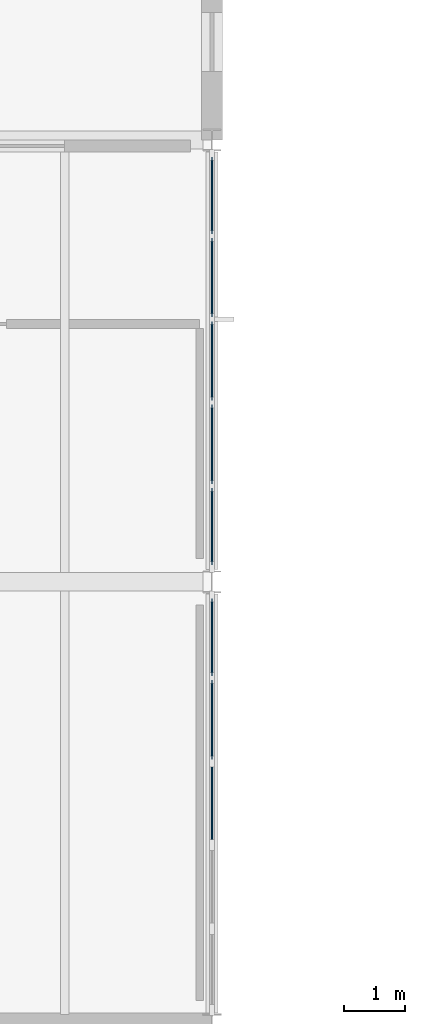
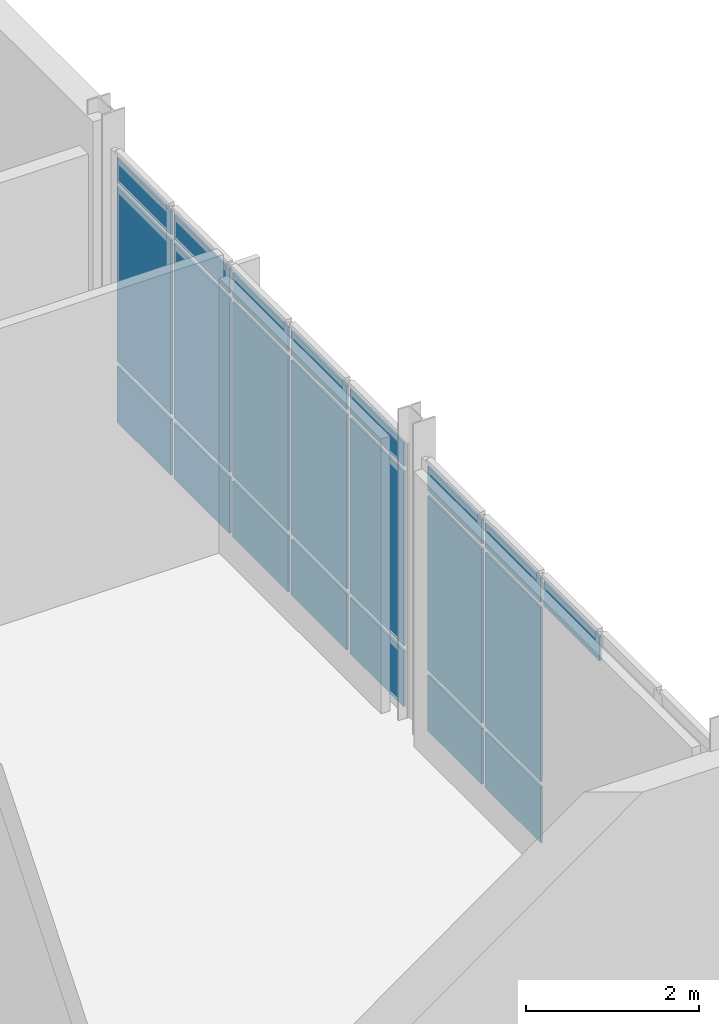
# One storey, part 28 of 53: 22 plates, 2 elements without a shape of their own.
"""IFC4 building model written with IfcOpenShell, lengths in metres."""

from ifc_helpers import new_model, si_unit, direction, frame, origin, origin_2d, place, context, subcontext, project, spatial, rectangle, extrude, material, layer, layer_set, type_object, element, aggregate, save


model = new_model("IFC4")

# Units and contexts
model_context = context("Model", 3, precision=1e-05, world=origin(), true_north=direction((0.0, 1.0)))
body_context = subcontext(model_context, "Body", "Model", "MODEL_VIEW")
ifc_project = project(units=[si_unit("LENGTHUNIT", "METRE"), si_unit("AREAUNIT", "SQUARE_METRE"), si_unit("VOLUMEUNIT", "CUBIC_METRE"), si_unit("PLANEANGLEUNIT", "RADIAN"), si_unit("MASSUNIT", "GRAM", prefix="KILO")], contexts=[model_context])

# Site, building, storey
site_placement = place(None, origin())
site = spatial("IfcSite", under=ifc_project, at=site_placement, CompositionType="ELEMENT")
building_placement = place(site_placement, origin())
building = spatial("IfcBuilding", under=site, at=building_placement, Name="Zarrinpeak Specialist Clinic", CompositionType="ELEMENT")
storey_placement = place(building_placement, frame((0.0, 0.0, 14.0)))
storey = spatial("IfcBuildingStorey", under=building, at=storey_placement, Name="L03", CompositionType="ELEMENT", Elevation=14.0)

# Curtain wall, plates
ifc_material_1 = material(Name="Anodised Aluminium Alloy 6063-T6", Category="aluminium")
ifc_layer_1 = layer(ifc_material_1, 0.1650390625)
ifc_layer_set_1 = layer_set([ifc_layer_1], Name="Anodised Aluminium Alloy 6063-T6")
curtain_wall_type = type_object("IfcCurtainWallType", Name="CW-CLINIC", PredefinedType="NOTDEFINED", material=ifc_layer_set_1)
curtain_wall_1_placement = place(storey_placement, origin())
curtain_wall_1 = element("IfcCurtainWall", 1, at=curtain_wall_1_placement, inside=storey, type_object=curtain_wall_type, Name="L03 V6 Unitised Curtain Wall CW-L03-V6-151", PredefinedType="NOTDEFINED")
ifc_material_2 = material(Name="Double Low-E Insulated Glazing", Category="glass")
ifc_layer_2 = layer(ifc_material_2, 0.028076171875)
ifc_layer_set_2 = layer_set([ifc_layer_2], Name="Double Low-E Insulated Glazing")
plate_type = type_object("IfcPlateType", Name="CWP-GLZ28", PredefinedType="CURTAIN_PANEL", material=ifc_layer_set_2)
plate_1_placement = place(storey_placement, frame((64.800048828125, 92.7900390625, 3.47265625), z_axis=(0.0, 0.0, 1.0), x_axis=(0.0, 1.0, 0.0)))
plate_1 = element("IfcPlate", 2, at=plate_1_placement, type_object=plate_type, Name="CW-03 panel 3.3", PredefinedType="CURTAIN_PANEL", context=body_context, shape_type="SweptSolid", body=[
    extrude(rectangle(XDim=1.287109375, YDim=0.028076171875, at=origin_2d()), origin(), (0.0, 0.0, 1.0), 0.33740234375),
])
plate_2_placement = place(storey_placement, frame((64.800048828125, 94.152099609375, 0.074951171875), z_axis=(0.0, 0.0, 1.0), x_axis=(0.0, 1.0, 0.0)))
plate_2 = element("IfcPlate", 3, at=plate_2_placement, type_object=plate_type, Name="CW-03 panel 4.1", PredefinedType="CURTAIN_PANEL", context=body_context, shape_type="SweptSolid", body=[
    extrude(rectangle(XDim=1.287109375, YDim=0.028076171875, at=origin_2d()), origin(), (0.0, 0.0, 1.0), 0.78759765625),
])
plate_3_placement = place(storey_placement, frame((64.800048828125, 94.152099609375, 0.9375), z_axis=(0.0, 0.0, 1.0), x_axis=(0.0, 1.0, 0.0)))
plate_3 = element("IfcPlate", 4, at=plate_3_placement, type_object=plate_type, Name="CW-03 panel 4.2", PredefinedType="CURTAIN_PANEL", context=body_context, shape_type="SweptSolid", body=[
    extrude(rectangle(XDim=1.287109375, YDim=0.028076171875, at=origin_2d()), origin(), (0.0, 0.0, 1.0), 2.4599609375),
])
plate_4_placement = place(storey_placement, frame((64.800048828125, 94.152099609375, 3.47265625), z_axis=(0.0, 0.0, 1.0), x_axis=(0.0, 1.0, 0.0)))
plate_4 = element("IfcPlate", 5, at=plate_4_placement, type_object=plate_type, Name="CW-03 panel 4.3", PredefinedType="CURTAIN_PANEL", context=body_context, shape_type="SweptSolid", body=[
    extrude(rectangle(XDim=1.287109375, YDim=0.028076171875, at=origin_2d()), origin(), (0.0, 0.0, 1.0), 0.33740234375),
])
plate_5_placement = place(storey_placement, frame((64.800048828125, 95.495361328125, 0.074951171875), z_axis=(0.0, 0.0, 1.0), x_axis=(0.0, 1.0, 0.0)))
plate_5 = element("IfcPlate", 6, at=plate_5_placement, type_object=plate_type, Name="CW-03 panel 5.1", PredefinedType="CURTAIN_PANEL", context=body_context, shape_type="SweptSolid", body=[
    extrude(rectangle(XDim=1.24951171875, YDim=0.028076171875, at=origin_2d()), origin(), (0.0, 0.0, 1.0), 0.78759765625),
])
plate_6_placement = place(storey_placement, frame((64.800048828125, 95.495361328125, 0.9375), z_axis=(0.0, 0.0, 1.0), x_axis=(0.0, 1.0, 0.0)))
plate_6 = element("IfcPlate", 7, at=plate_6_placement, type_object=plate_type, Name="CW-03 panel 5.2", PredefinedType="CURTAIN_PANEL", context=body_context, shape_type="SweptSolid", body=[
    extrude(rectangle(XDim=1.24951171875, YDim=0.028076171875, at=origin_2d()), origin(), (0.0, 0.0, 1.0), 2.4599609375),
])
plate_7_placement = place(storey_placement, frame((64.800048828125, 95.495361328125, 3.47265625), z_axis=(0.0, 0.0, 1.0), x_axis=(0.0, 1.0, 0.0)))
plate_7 = element("IfcPlate", 8, at=plate_7_placement, type_object=plate_type, Name="CW-03 panel 5.3", PredefinedType="CURTAIN_PANEL", context=body_context, shape_type="SweptSolid", body=[
    extrude(rectangle(XDim=1.24951171875, YDim=0.028076171875, at=origin_2d()), origin(), (0.0, 0.0, 1.0), 0.33740234375),
])
aggregate(curtain_wall_1, [plate_1, plate_2, plate_3, plate_4, plate_5, plate_6, plate_7])

curtain_wall_2_placement = place(storey_placement, origin())
curtain_wall_2 = element("IfcCurtainWall", 9, at=curtain_wall_2_placement, inside=storey, type_object=curtain_wall_type, Name="L03 V6 Unitised Curtain Wall CW-L03-V6-152", PredefinedType="NOTDEFINED")
plate_8_placement = place(storey_placement, frame((64.800048828125, 97.302734375, 0.074951171875), z_axis=(0.0, 0.0, 1.0), x_axis=(0.0, 1.0, 0.0)))
plate_8 = element("IfcPlate", 10, at=plate_8_placement, type_object=plate_type, Name="CW-03 panel 1.1", PredefinedType="CURTAIN_PANEL", context=body_context, shape_type="SweptSolid", body=[
    extrude(rectangle(XDim=1.24560546875, YDim=0.028076171875, at=origin_2d()), origin(), (0.0, 0.0, 1.0), 0.78759765625),
])
plate_9_placement = place(storey_placement, frame((64.800048828125, 97.302734375, 0.9375), z_axis=(0.0, 0.0, 1.0), x_axis=(0.0, 1.0, 0.0)))
plate_9 = element("IfcPlate", 11, at=plate_9_placement, type_object=plate_type, Name="CW-03 panel 1.2", PredefinedType="CURTAIN_PANEL", context=body_context, shape_type="SweptSolid", body=[
    extrude(rectangle(XDim=1.24560546875, YDim=0.028076171875, at=origin_2d()), origin(), (0.0, 0.0, 1.0), 2.4599609375),
])
plate_10_placement = place(storey_placement, frame((64.800048828125, 97.302734375, 3.47265625), z_axis=(0.0, 0.0, 1.0), x_axis=(0.0, 1.0, 0.0)))
plate_10 = element("IfcPlate", 12, at=plate_10_placement, type_object=plate_type, Name="CW-03 panel 1.3", PredefinedType="CURTAIN_PANEL", context=body_context, shape_type="SweptSolid", body=[
    extrude(rectangle(XDim=1.24560546875, YDim=0.028076171875, at=origin_2d()), origin(), (0.0, 0.0, 1.0), 0.33740234375),
])
plate_11_placement = place(storey_placement, frame((64.800048828125, 98.64208984375, 0.074951171875), z_axis=(0.0, 0.0, 1.0), x_axis=(0.0, 1.0, 0.0)))
plate_11 = element("IfcPlate", 13, at=plate_11_placement, type_object=plate_type, Name="CW-03 panel 2.1", PredefinedType="CURTAIN_PANEL", context=body_context, shape_type="SweptSolid", body=[
    extrude(rectangle(XDim=1.282958984375, YDim=0.028076171875, at=origin_2d()), origin(), (0.0, 0.0, 1.0), 0.78759765625),
])
plate_12_placement = place(storey_placement, frame((64.800048828125, 98.64208984375, 0.9375), z_axis=(0.0, 0.0, 1.0), x_axis=(0.0, 1.0, 0.0)))
plate_12 = element("IfcPlate", 14, at=plate_12_placement, type_object=plate_type, Name="CW-03 panel 2.2", PredefinedType="CURTAIN_PANEL", context=body_context, shape_type="SweptSolid", body=[
    extrude(rectangle(XDim=1.282958984375, YDim=0.028076171875, at=origin_2d()), origin(), (0.0, 0.0, 1.0), 2.4599609375),
])
plate_13_placement = place(storey_placement, frame((64.800048828125, 98.64208984375, 3.47265625), z_axis=(0.0, 0.0, 1.0), x_axis=(0.0, 1.0, 0.0)))
plate_13 = element("IfcPlate", 15, at=plate_13_placement, type_object=plate_type, Name="CW-03 panel 2.3", PredefinedType="CURTAIN_PANEL", context=body_context, shape_type="SweptSolid", body=[
    extrude(rectangle(XDim=1.282958984375, YDim=0.028076171875, at=origin_2d()), origin(), (0.0, 0.0, 1.0), 0.33740234375),
])
plate_14_placement = place(storey_placement, frame((64.800048828125, 100.0, 0.074951171875), z_axis=(0.0, 0.0, 1.0), x_axis=(0.0, 1.0, 0.0)))
plate_14 = element("IfcPlate", 16, at=plate_14_placement, type_object=plate_type, Name="CW-03 panel 3.1", PredefinedType="CURTAIN_PANEL", context=body_context, shape_type="SweptSolid", body=[
    extrude(rectangle(XDim=1.282958984375, YDim=0.028076171875, at=origin_2d()), origin(), (0.0, 0.0, 1.0), 0.78759765625),
])
plate_15_placement = place(storey_placement, frame((64.800048828125, 100.0, 0.9375), z_axis=(0.0, 0.0, 1.0), x_axis=(0.0, 1.0, 0.0)))
plate_15 = element("IfcPlate", 17, at=plate_15_placement, type_object=plate_type, Name="CW-03 panel 3.2", PredefinedType="CURTAIN_PANEL", context=body_context, shape_type="SweptSolid", body=[
    extrude(rectangle(XDim=1.282958984375, YDim=0.028076171875, at=origin_2d()), origin(), (0.0, 0.0, 1.0), 2.4599609375),
])
plate_16_placement = place(storey_placement, frame((64.800048828125, 100.0, 3.47265625), z_axis=(0.0, 0.0, 1.0), x_axis=(0.0, 1.0, 0.0)))
plate_16 = element("IfcPlate", 18, at=plate_16_placement, type_object=plate_type, Name="CW-03 panel 3.3", PredefinedType="CURTAIN_PANEL", context=body_context, shape_type="SweptSolid", body=[
    extrude(rectangle(XDim=1.282958984375, YDim=0.028076171875, at=origin_2d()), origin(), (0.0, 0.0, 1.0), 0.33740234375),
])
plate_17_placement = place(storey_placement, frame((64.800048828125, 101.35791015625, 0.074951171875), z_axis=(0.0, 0.0, 1.0), x_axis=(0.0, 1.0, 0.0)))
plate_17 = element("IfcPlate", 19, at=plate_17_placement, type_object=plate_type, Name="CW-03 panel 4.1", PredefinedType="CURTAIN_PANEL", context=body_context, shape_type="SweptSolid", body=[
    extrude(rectangle(XDim=1.282958984375, YDim=0.028076171875, at=origin_2d()), origin(), (0.0, 0.0, 1.0), 0.78759765625),
])
plate_18_placement = place(storey_placement, frame((64.800048828125, 101.35791015625, 0.9375), z_axis=(0.0, 0.0, 1.0), x_axis=(0.0, 1.0, 0.0)))
plate_18 = element("IfcPlate", 20, at=plate_18_placement, type_object=plate_type, Name="CW-03 panel 4.2", PredefinedType="CURTAIN_PANEL", context=body_context, shape_type="SweptSolid", body=[
    extrude(rectangle(XDim=1.282958984375, YDim=0.028076171875, at=origin_2d()), origin(), (0.0, 0.0, 1.0), 2.4599609375),
])
plate_19_placement = place(storey_placement, frame((64.800048828125, 101.35791015625, 3.47265625), z_axis=(0.0, 0.0, 1.0), x_axis=(0.0, 1.0, 0.0)))
plate_19 = element("IfcPlate", 21, at=plate_19_placement, type_object=plate_type, Name="CW-03 panel 4.3", PredefinedType="CURTAIN_PANEL", context=body_context, shape_type="SweptSolid", body=[
    extrude(rectangle(XDim=1.282958984375, YDim=0.028076171875, at=origin_2d()), origin(), (0.0, 0.0, 1.0), 0.33740234375),
])
plate_20_placement = place(storey_placement, frame((64.800048828125, 102.697265625, 0.074951171875), z_axis=(0.0, 0.0, 1.0), x_axis=(0.0, 1.0, 0.0)))
plate_20 = element("IfcPlate", 22, at=plate_20_placement, type_object=plate_type, Name="CW-03 panel 5.1", PredefinedType="CURTAIN_PANEL", context=body_context, shape_type="SweptSolid", body=[
    extrude(rectangle(XDim=1.24560546875, YDim=0.028076171875, at=origin_2d()), origin(), (0.0, 0.0, 1.0), 0.78759765625),
])
plate_21_placement = place(storey_placement, frame((64.800048828125, 102.697265625, 0.9375), z_axis=(0.0, 0.0, 1.0), x_axis=(0.0, 1.0, 0.0)))
plate_21 = element("IfcPlate", 23, at=plate_21_placement, type_object=plate_type, Name="CW-03 panel 5.2", PredefinedType="CURTAIN_PANEL", context=body_context, shape_type="SweptSolid", body=[
    extrude(rectangle(XDim=1.24560546875, YDim=0.028076171875, at=origin_2d()), origin(), (0.0, 0.0, 1.0), 2.4599609375),
])
plate_22_placement = place(storey_placement, frame((64.800048828125, 102.697265625, 3.47265625), z_axis=(0.0, 0.0, 1.0), x_axis=(0.0, 1.0, 0.0)))
plate_22 = element("IfcPlate", 24, at=plate_22_placement, type_object=plate_type, Name="CW-03 panel 5.3", PredefinedType="CURTAIN_PANEL", context=body_context, shape_type="SweptSolid", body=[
    extrude(rectangle(XDim=1.24560546875, YDim=0.028076171875, at=origin_2d()), origin(), (0.0, 0.0, 1.0), 0.33740234375),
])
aggregate(curtain_wall_2, [plate_8, plate_9, plate_10, plate_11, plate_12, plate_13, plate_14, plate_15, plate_16, plate_17, plate_18, plate_19, plate_20, plate_21, plate_22])

save(model, "model.ifc")
